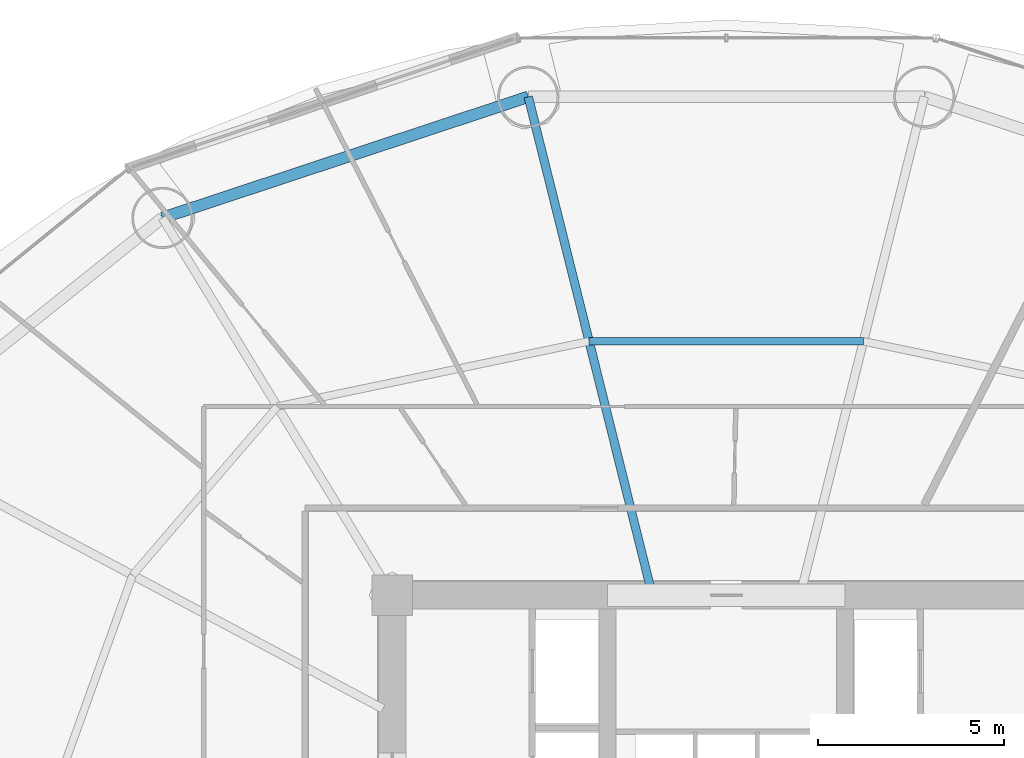
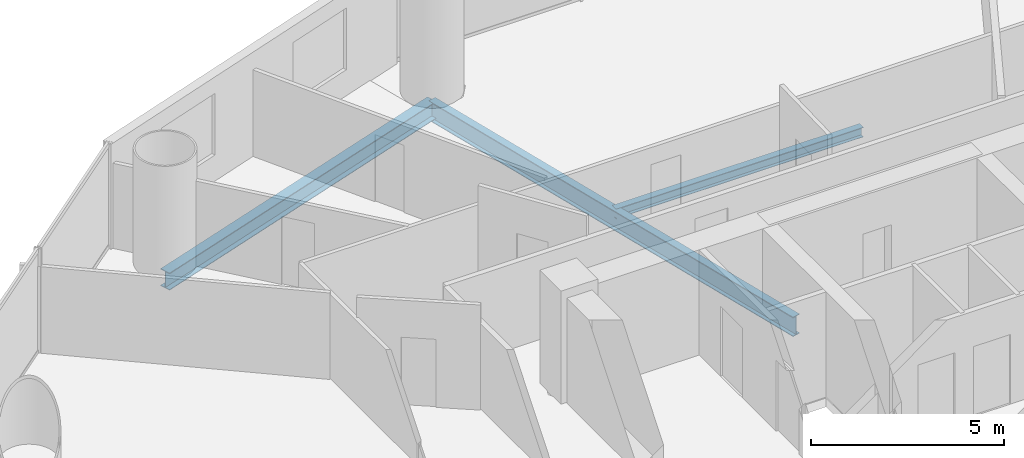
# One storey, part 17 of 30: 3 beams.
"""IFC4 building model written with IfcOpenShell, lengths in metres."""

from ifc_helpers import new_model, si_unit, direction, frame, origin, origin_2d, place, context, subcontext, project, spatial, i_section, extrude, material, material_profile, profile_set, type_object, element, save


model = new_model("IFC4")

# Units and contexts
model_context = context("Model", 3, precision=1e-05, world=origin(), true_north=direction((-0.2419218956, 0.970295726276)))
body_context = subcontext(model_context, "Body", "Model", "MODEL_VIEW")
ifc_project = project(units=[si_unit("LENGTHUNIT", "METRE"), si_unit("AREAUNIT", "SQUARE_METRE"), si_unit("VOLUMEUNIT", "CUBIC_METRE"), si_unit("PLANEANGLEUNIT", "RADIAN"), si_unit("MASSUNIT", "GRAM", prefix="KILO")], contexts=[model_context])

# Site, building, storey
site_placement = place(None, origin())
site = spatial("IfcSite", under=ifc_project, at=site_placement, CompositionType="ELEMENT")
building_placement = place(site_placement, origin())
building = spatial("IfcBuilding", under=site, at=building_placement, Name="Cobrevalo Terracotta Tower", CompositionType="ELEMENT")
storey_placement = place(building_placement, frame((0.0, 0.0, 31.199951171875)))
storey = spatial("IfcBuildingStorey", under=building, at=storey_placement, Name="L07", CompositionType="ELEMENT", Elevation=31.199951171875)

# Beams
ifc_material = material(Name="Steel S355", Category="steel")
ifc_material_profile_1 = material_profile(ifc_material, i_section(OverallWidth=0.22998046875, OverallDepth=0.616943359375, WebThickness=0.01318359375, FlangeThickness=0.022216796875, at=origin_2d()), Name="W 610x140")
ifc_profile_set_1 = profile_set([ifc_material_profile_1], Name="Steel S355")
beam_type_1 = type_object("IfcBeamType", Name="Structural Beam W 610x140 (Steel S355)", PredefinedType="BEAM", material=ifc_profile_set_1)
beam_1_placement = place(storey_placement, frame((32.664306640625, 48.230224609375, -0.58837890625), z_axis=(0.241596254786, -0.970376859614, 0.0), x_axis=(0.970376859614, 0.241596254786, 0.0)))
element("IfcBeam", 1, at=beam_1_placement, inside=storey, type_object=beam_type_1, Name="L07 radial floor girder 05", PredefinedType="BEAM", context=body_context, shape_type="SweptSolid", body=[
    extrude(i_section(OverallWidth=0.22998046875, OverallDepth=0.616943359375, WebThickness=0.01318359375, FlangeThickness=0.022216796875, at=origin_2d()), origin(), (0.0, 0.0, 1.0), 13.577392578125),
])
ifc_material_profile_2 = material_profile(ifc_material, i_section(OverallWidth=0.2041015625, OverallDepth=0.305908203125, WebThickness=0.008544921875, FlangeThickness=0.0146484375, at=origin_2d()), Name="W 310x67")
ifc_profile_set_2 = profile_set([ifc_material_profile_2], Name="Steel S355")
beam_type_2 = type_object("IfcBeamType", Name="Structural Joist W 310x67 (Steel S355)", PredefinedType="JOIST", material=ifc_profile_set_2)
beam_2_placement = place(storey_placement, frame((41.695556640625, 41.642578125, -0.432861328125), z_axis=(-1.0, 0.0, 0.0), x_axis=(0.0, -1.0, 0.0)))
element("IfcBeam", 2, at=beam_2_placement, inside=storey, type_object=beam_type_2, Name="L07 circumferential secondary floor joist 04", PredefinedType="JOIST", context=body_context, shape_type="SweptSolid", body=[
    extrude(i_section(OverallWidth=0.2041015625, OverallDepth=0.305908203125, WebThickness=0.008544921875, FlangeThickness=0.0146484375, at=origin_2d()), origin(), (0.0, 0.0, 1.0), 7.39111328125),
])
ifc_material_profile_3 = material_profile(ifc_material, i_section(OverallWidth=0.31201171875, OverallDepth=0.54296875, WebThickness=0.0126953125, FlangeThickness=0.020263671875, at=origin_2d()), Name="W 530x150")
ifc_profile_set_3 = profile_set([ifc_material_profile_3], Name="Steel S355")
beam_type_3 = type_object("IfcBeamType", Name="Structural Spandrel W 530x150 (Steel S355)", PredefinedType="SPANDREL", material=ifc_profile_set_3)
beam_3_placement = place(storey_placement, frame((32.664306640625, 48.230224609375, -0.551513671875), z_axis=(-0.949365190876, -0.314174687638, 0.0), x_axis=(0.314174687638, -0.949365190876, 0.0)))
element("IfcBeam", 3, at=beam_3_placement, inside=storey, type_object=beam_type_3, Name="L07 perimeter ring spandrel 05", PredefinedType="SPANDREL", context=body_context, shape_type="SweptSolid", body=[
    extrude(i_section(OverallWidth=0.31201171875, OverallDepth=0.54296875, WebThickness=0.0126953125, FlangeThickness=0.020263671875, at=origin_2d()), origin(), (0.0, 0.0, 1.0), 10.385009765625),
])

save(model, "model.ifc")
